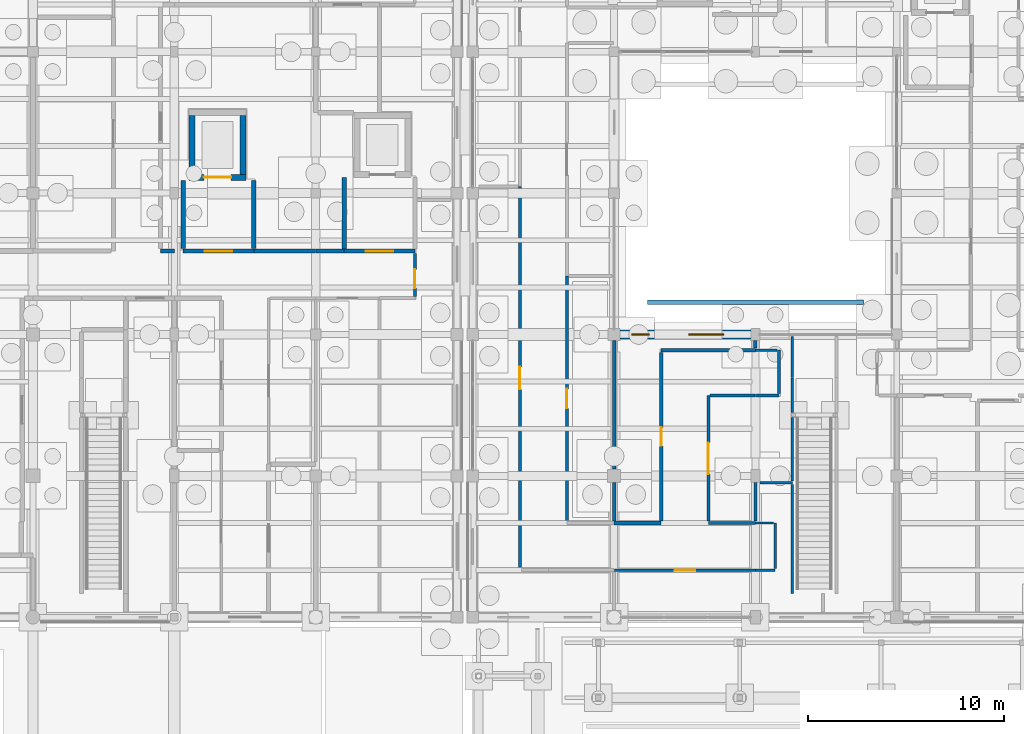
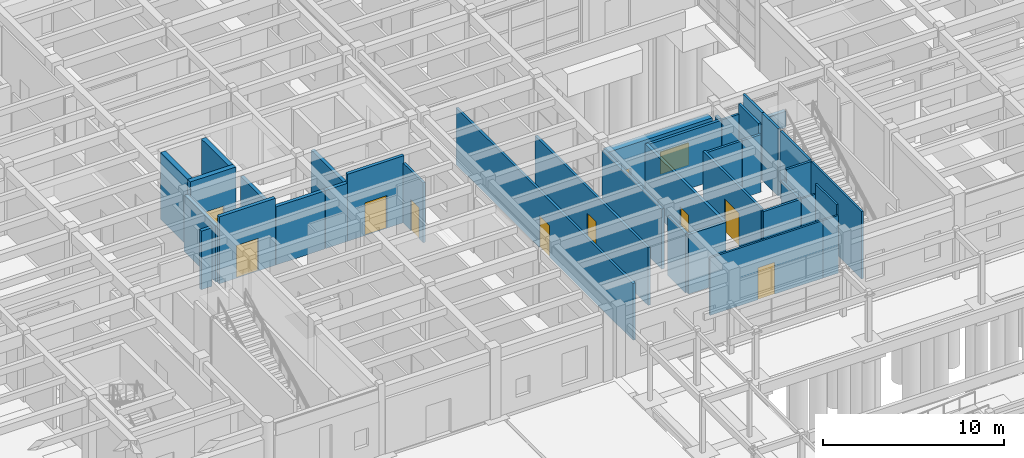
# One storey, part 107 of 143: 38 walls, 9 doors, 2 windows, 11 openings.
"""IFC4 building model written with IfcOpenShell, lengths in metres."""

from ifc_helpers import new_model, si_unit, direction, frame, frame_2d, origin, place, context, subcontext, project, spatial, rectangle, extrude, material, layer, layer_set, type_object, element, fill, save


model = new_model("IFC4")

# Units and contexts
model_context = context("Model", 3, precision=1e-05, world=origin(), true_north=direction((0.0, 1.0)))
body_context = subcontext(model_context, "Body", "Model", "MODEL_VIEW")
ifc_project = project(units=[si_unit("LENGTHUNIT", "METRE"), si_unit("AREAUNIT", "SQUARE_METRE"), si_unit("VOLUMEUNIT", "CUBIC_METRE"), si_unit("PLANEANGLEUNIT", "RADIAN"), si_unit("MASSUNIT", "GRAM", prefix="KILO")], contexts=[model_context])

# Site, building, storey
site_placement = place(None, origin())
site = spatial("IfcSite", under=ifc_project, at=site_placement, CompositionType="ELEMENT")
building_placement = place(site_placement, origin())
building = spatial("IfcBuilding", under=site, at=building_placement, Name="Steenspoor Specialist Clinic", CompositionType="ELEMENT")
storey_placement = place(building_placement, origin())
storey = spatial("IfcBuildingStorey", under=building, at=storey_placement, Name="L00", CompositionType="ELEMENT", Elevation=0.0)

# Wall, openings, windows
ifc_material_1 = material(Name="Volcanic basalt ashlar masonry", Category="masonry")
ifc_layer_1 = layer(ifc_material_1, 0.47998046875)
ifc_layer_set_1 = layer_set([ifc_layer_1], Name="Volcanic basalt ashlar masonry")
wall_type_1 = type_object("IfcWallType", Name="W-BASALT-480", PredefinedType="SOLIDWALL", material=ifc_layer_set_1)
wall_1_placement = place(storey_placement, frame((59.89990234375, 79.550048828125, 0.0), z_axis=(0.0, 0.0, 1.0), x_axis=(1.0, 0.0, 0.0)))
wall_1 = element("IfcWall", 1, at=wall_1_placement, inside=storey, type_object=wall_type_1, Name="Exterior Brick Wall EW-V4-L00-0101", PredefinedType="SOLIDWALL", context=body_context, shape_type="SweptSolid", body=[
    extrude(rectangle(XDim=6.675048828125, YDim=0.47998046875, at=frame_2d((3.33740234375, 0.0))), origin(), (0.0, 0.0, 1.0), 3.72998046875),
])
opening_1_placement = place(wall_1_placement, frame((0.590087890625, 0.0, 0.949951171875)))
opening_1 = element("IfcOpeningElement", 2, at=opening_1_placement, cuts=wall_1, Name="Opening WN-21", PredefinedType="OPENING", context=body_context, shape_type="SweptSolid", body=[
    extrude(rectangle(XDim=0.89990234375, YDim=1.199951171875, at=frame_2d((0.449951171875, 0.60009765625))), frame((0.0, 0.25, 0.0), z_axis=(0.0, -1.0, 0.0), x_axis=(1.0, 0.0, 0.0)), (0.0, 0.0, 1.0), 0.5),
])
opening_2_placement = place(wall_1_placement, frame((3.49755859375, 0.0, 0.89990234375)))
opening_2 = element("IfcOpeningElement", 3, at=opening_2_placement, cuts=wall_1, Name="Opening WN-13", PredefinedType="OPENING", context=body_context, shape_type="SweptSolid", body=[
    extrude(rectangle(XDim=1.800048828125, YDim=1.5, at=frame_2d((0.89990234375, 0.75))), frame((0.0, 0.25, 0.0), z_axis=(0.0, -1.0, 0.0), x_axis=(1.0, 0.0, 0.0)), (0.0, 0.0, 1.0), 0.5),
])
ifc_material_2 = material(Name="Thermally broken aluminium and low-emissivity glass", Category="aluminium")
window_type_1 = type_object("IfcWindowType", Name="WN-EXT-090X120", PartitioningType="SINGLE_PANEL", PredefinedType="WINDOW", material=ifc_material_2)
window_1_placement = place(opening_1_placement, origin())
window_1 = element("IfcWindow", 4, at=window_1_placement, inside=storey, type_object=window_type_1, Name="Window 0122", OverallHeight=1.199951171875, OverallWidth=0.89990234375, PartitioningType="SINGLE_PANEL", PredefinedType="WINDOW", context=body_context, shape_type="SweptSolid", body=[
    extrude(rectangle(XDim=0.89990234375, YDim=1.199951171875, at=frame_2d((0.449951171875, 0.60009765625))), frame((0.0, 0.030029296875, 0.0), z_axis=(0.0, -1.0, 0.0), x_axis=(1.0, 0.0, 0.0)), (0.0, 0.0, 1.0), 0.06005859375),
])
fill(opening_1, window_1)
window_type_2 = type_object("IfcWindowType", Name="WN-EXT-180X150", PartitioningType="SINGLE_PANEL", PredefinedType="WINDOW", material=ifc_material_2)
window_2_placement = place(opening_2_placement, origin())
window_2 = element("IfcWindow", 5, at=window_2_placement, inside=storey, type_object=window_type_2, Name="Window 0123", OverallHeight=1.5, OverallWidth=1.800048828125, PartitioningType="SINGLE_PANEL", PredefinedType="WINDOW", context=body_context, shape_type="SweptSolid", body=[
    extrude(rectangle(XDim=1.800048828125, YDim=1.5, at=frame_2d((0.89990234375, 0.75))), frame((0.0, 0.030029296875, 0.0), z_axis=(0.0, -1.0, 0.0), x_axis=(1.0, 0.0, 0.0)), (0.0, 0.0, 1.0), 0.06005859375),
])
fill(opening_2, window_2)

# Wall, opening, door
ifc_material_3 = material(Name="Gypsum acoustic clinical partition", Category="gypsum")
ifc_layer_2 = layer(ifc_material_3, 0.14990234375)
ifc_layer_set_2 = layer_set([ifc_layer_2], Name="Gypsum acoustic clinical partition")
wall_type_2 = type_object("IfcWallType", Name="W-CLIN-150", PredefinedType="PARTITIONING", material=ifc_layer_set_2)
wall_2_placement = place(storey_placement, frame((54.800048828125, 67.550048828125, 0.0), z_axis=(0.0, 0.0, 1.0), x_axis=(0.0, 1.0, 0.0)))
wall_2 = element("IfcWall", 6, at=wall_2_placement, inside=storey, type_object=wall_type_2, Name="Interior Partition IW-V4-L00-0211", PredefinedType="PARTITIONING", context=body_context, shape_type="SweptSolid", body=[
    extrude(rectangle(XDim=19.550048828125, YDim=0.14990234375, at=frame_2d((9.77490234375, 0.0))), origin(), (0.0, 0.0, 1.0), 3.8349609375),
])
opening_3_placement = place(wall_2_placement, frame((9.199951171875, 0.0, 0.0)))
opening_3 = element("IfcOpeningElement", 7, at=opening_3_placement, cuts=wall_2, Name="Opening D0147", PredefinedType="OPENING", context=body_context, shape_type="SweptSolid", body=[
    extrude(rectangle(XDim=1.14990234375, YDim=2.14990234375, at=frame_2d((0.574951171875, 1.074951171875))), frame((0.0, 0.0849609375, 0.0), z_axis=(0.0, -1.0, 0.0), x_axis=(1.0, 0.0, 0.0)), (0.0, 0.0, 1.0), 0.169921875),
])
ifc_material_4 = material(Name="Solid-core hardwood clinical door", Category="wood")
door_type_1 = type_object("IfcDoorType", Name="DT-CONS-115X215", OperationType="NOTDEFINED", PredefinedType="DOOR", material=ifc_material_4)
door_1_placement = place(opening_3_placement, origin())
door_1 = element("IfcDoor", 8, at=door_1_placement, inside=storey, type_object=door_type_1, Name="Clinical Door D0147", OperationType="SINGLE_SWING_RIGHT", OverallHeight=2.14990234375, OverallWidth=1.14990234375, PredefinedType="DOOR", context=body_context, shape_type="SweptSolid", body=[
    extrude(rectangle(XDim=1.14990234375, YDim=2.14990234375, at=frame_2d((0.574951171875, 1.074951171875))), frame((0.0, 0.02490234375, 0.0), z_axis=(0.0, -1.0, 0.0), x_axis=(1.0, 0.0, 0.0)), (0.0, 0.0, 1.0), 0.050048828125),
])
fill(opening_3, door_1)

wall_3_placement = place(storey_placement, frame((57.199951171875, 70.0400390625, 0.0), z_axis=(0.0, 0.0, 1.0), x_axis=(0.0, 1.0, 0.0)))
wall_3 = element("IfcWall", 9, at=wall_3_placement, inside=storey, type_object=wall_type_2, Name="Interior Partition IW-V4-L00-0232", PredefinedType="PARTITIONING", context=body_context, shape_type="SweptSolid", body=[
    extrude(rectangle(XDim=12.48486328125, YDim=0.14990234375, at=frame_2d((6.242431640625, 0.0))), origin(), (0.0, 0.0, 1.0), 3.885009765625),
])
opening_4_placement = place(wall_3_placement, frame((5.742431640625, 0.0, 0.0)))
opening_4 = element("IfcOpeningElement", 10, at=opening_4_placement, cuts=wall_3, Name="Opening D0161", PredefinedType="OPENING", context=body_context, shape_type="SweptSolid", body=[
    extrude(rectangle(XDim=1.0, YDim=2.14990234375, at=frame_2d((0.5, 1.074951171875))), frame((0.0, 0.0849609375, 0.0), z_axis=(0.0, -1.0, 0.0), x_axis=(1.0, 0.0, 0.0)), (0.0, 0.0, 1.0), 0.169921875),
])
ifc_material_5 = material(Name="Moisture-resistant HPL accessible WC door", Category="wood")
door_type_2 = type_object("IfcDoorType", Name="DT-AWC-100X215", OperationType="NOTDEFINED", PredefinedType="DOOR", material=ifc_material_5)
door_2_placement = place(opening_4_placement, origin())
door_2 = element("IfcDoor", 11, at=door_2_placement, inside=storey, type_object=door_type_2, Name="Clinical Door D0161", OperationType="SINGLE_SWING_RIGHT", OverallHeight=2.14990234375, OverallWidth=1.0, PredefinedType="DOOR", context=body_context, shape_type="SweptSolid", body=[
    extrude(rectangle(XDim=1.0, YDim=2.14990234375, at=frame_2d((0.5, 1.074951171875))), frame((0.0, 0.02490234375, 0.0), z_axis=(0.0, -1.0, 0.0), x_axis=(1.0, 0.0, 0.0)), (0.0, 0.0, 1.0), 0.050048828125),
])
fill(opening_4, door_2)

# Walls
wall_4_placement = place(storey_placement, frame((66.800048828125, 76.449951171875, 0.0), z_axis=(0.0, 0.0, 1.0), x_axis=(1.0, 0.0, 0.0)))
element("IfcWall", 12, at=wall_4_placement, inside=storey, type_object=wall_type_2, Name="Interior Partition IW-V4-L00-0233", PredefinedType="PARTITIONING", context=body_context, shape_type="SweptSolid", body=[
    extrude(rectangle(XDim=1.199951171875, YDim=0.14990234375, at=frame_2d((0.60009765625, 0.0))), origin(), (0.0, 0.0, 1.0), 3.885009765625),
])
wall_5_placement = place(storey_placement, frame((68.0, 76.5400390625, 0.0), z_axis=(0.0, 0.0, 1.0), x_axis=(0.0, 1.0, 0.0)))
element("IfcWall", 13, at=wall_5_placement, inside=storey, type_object=wall_type_2, Name="Interior Partition IW-V4-L00-0234", PredefinedType="PARTITIONING", context=body_context, shape_type="SweptSolid", body=[
    extrude(rectangle(XDim=2.2099609375, YDim=0.14990234375, at=frame_2d((1.10498046875, 0.0))), origin(), (0.0, 0.0, 1.0), 4.550048828125),
])
wall_6_placement = place(storey_placement, frame((66.81494140625, 78.75, 0.0), z_axis=(0.0, 0.0, 1.0), x_axis=(1.0, 0.0, 0.0)))
element("IfcWall", 14, at=wall_6_placement, inside=storey, type_object=wall_type_2, Name="Interior Partition IW-V4-L00-0235", PredefinedType="PARTITIONING", context=body_context, shape_type="SweptSolid", body=[
    extrude(rectangle(XDim=1.094970703125, YDim=0.14990234375, at=frame_2d((0.54736328125, 0.0))), origin(), (0.0, 0.0, 1.0), 3.885009765625),
])
wall_7_placement = place(storey_placement, frame((64.39990234375, 69.949951171875, 0.0), z_axis=(0.0, 0.0, 1.0), x_axis=(1.0, 0.0, 0.0)))
element("IfcWall", 15, at=wall_7_placement, inside=storey, type_object=wall_type_2, Name="Interior Partition IW-V4-L00-0236", PredefinedType="PARTITIONING", context=body_context, shape_type="SweptSolid", body=[
    extrude(rectangle(XDim=2.400146484375, YDim=0.14990234375, at=frame_2d((1.2001953125, 0.0))), origin(), (0.0, 0.0, 1.0), 3.885009765625),
])

# Wall, opening, door
wall_8_placement = place(storey_placement, frame((64.39990234375, 70.0400390625, 0.0), z_axis=(0.0, 0.0, 1.0), x_axis=(0.0, 1.0, 0.0)))
wall_8 = element("IfcWall", 16, at=wall_8_placement, inside=storey, type_object=wall_type_2, Name="Interior Partition IW-V4-L00-0237", PredefinedType="PARTITIONING", context=body_context, shape_type="SweptSolid", body=[
    extrude(rectangle(XDim=6.409912109375, YDim=0.14990234375, at=frame_2d((3.205078125, 0.0))), origin(), (0.0, 0.0, 1.0), 4.014892578125),
])
opening_5_placement = place(wall_8_placement, frame((2.405029296875, 0.0, 0.0)))
opening_5 = element("IfcOpeningElement", 17, at=opening_5_placement, cuts=wall_8, Name="Opening D0163", PredefinedType="OPENING", context=body_context, shape_type="SweptSolid", body=[
    extrude(rectangle(XDim=1.60009765625, YDim=2.25, at=frame_2d((0.800048828125, 1.125))), frame((0.0, 0.0849609375, 0.0), z_axis=(0.0, -1.0, 0.0), x_axis=(1.0, 0.0, 0.0)), (0.0, 0.0, 1.0), 0.169921875),
])
ifc_material_6 = material(Name="Hygienic HPL clinical timber door", Category="wood")
door_type_3 = type_object("IfcDoorType", Name="DT-PROC-160X225", OperationType="NOTDEFINED", PredefinedType="DOOR", material=ifc_material_6)
door_3_placement = place(opening_5_placement, origin())
door_3 = element("IfcDoor", 18, at=door_3_placement, inside=storey, type_object=door_type_3, Name="Clinical Door D0163", OperationType="SINGLE_SWING_RIGHT", OverallHeight=2.25, OverallWidth=1.60009765625, PredefinedType="DOOR", context=body_context, shape_type="SweptSolid", body=[
    extrude(rectangle(XDim=1.60009765625, YDim=2.25, at=frame_2d((0.800048828125, 1.125))), frame((0.0, 0.02490234375, 0.0), z_axis=(0.0, -1.0, 0.0), x_axis=(1.0, 0.0, 0.0)), (0.0, 0.0, 1.0), 0.050048828125),
])
fill(opening_5, door_3)

# Wall
wall_9_placement = place(storey_placement, frame((64.489990234375, 76.449951171875, 0.0), z_axis=(0.0, 0.0, 1.0), x_axis=(1.0, 0.0, 0.0)))
element("IfcWall", 19, at=wall_9_placement, inside=storey, type_object=wall_type_2, Name="Interior Partition IW-V4-L00-0238", PredefinedType="PARTITIONING", context=body_context, shape_type="SweptSolid", body=[
    extrude(rectangle(XDim=2.294921875, YDim=0.14990234375, at=frame_2d((1.1474609375, 0.0))), origin(), (0.0, 0.0, 1.0), 3.885009765625),
])

# Wall, opening, door
wall_10_placement = place(storey_placement, frame((49.449951171875, 81.489990234375, 0.0), z_axis=(0.0, 0.0, 1.0), x_axis=(0.0, 1.0, 0.0)))
wall_10 = element("IfcWall", 20, at=wall_10_placement, inside=storey, type_object=wall_type_2, Name="Interior Partition IW-V5-L00-0275", PredefinedType="PARTITIONING", context=body_context, shape_type="SweptSolid", body=[
    extrude(rectangle(XDim=2.195068359375, YDim=0.14990234375, at=frame_2d((1.09765625, 0.0))), origin(), (0.0, 0.0, 1.0), 4.044921875),
])
opening_6_placement = place(wall_10_placement, frame((0.42333984375, 0.0, 0.0)))
opening_6 = element("IfcOpeningElement", 21, at=opening_6_placement, cuts=wall_10, Name="Opening D0330", PredefinedType="OPENING", context=body_context, shape_type="SweptSolid", body=[
    extrude(rectangle(XDim=0.949951171875, YDim=2.10009765625, at=frame_2d((0.47509765625, 1.050048828125))), frame((0.0, 0.0849609375, 0.0), z_axis=(0.0, -1.0, 0.0), x_axis=(1.0, 0.0, 0.0)), (0.0, 0.0, 1.0), 0.169921875),
])
ifc_material_7 = material(Name="Moisture-resistant HPL sanitary door", Category="wood")
door_type_4 = type_object("IfcDoorType", Name="DT-WC-095X210", OperationType="NOTDEFINED", PredefinedType="DOOR", material=ifc_material_7)
door_4_placement = place(opening_6_placement, origin())
door_4 = element("IfcDoor", 22, at=door_4_placement, inside=storey, type_object=door_type_4, Name="Clinical Door D0330", OperationType="SINGLE_SWING_LEFT", OverallHeight=2.10009765625, OverallWidth=0.949951171875, PredefinedType="DOOR", context=body_context, shape_type="SweptSolid", body=[
    extrude(rectangle(XDim=0.949951171875, YDim=2.10009765625, at=frame_2d((0.47509765625, 1.050048828125))), frame((0.0, 0.02490234375, 0.0), z_axis=(0.0, -1.0, 0.0), x_axis=(1.0, 0.0, 0.0)), (0.0, 0.0, 1.0), 0.050048828125),
])
fill(opening_6, door_4)

# Walls
wall_11_placement = place(storey_placement, frame((66.800048828125, 70.0400390625, 0.0), z_axis=(0.0, 0.0, 1.0), x_axis=(0.0, 1.0, 0.0)))
element("IfcWall", 23, at=wall_11_placement, inside=storey, type_object=wall_type_2, Name="Interior Partition IW-V4-L00-0600", PredefinedType="PARTITIONING", context=body_context, shape_type="SweptSolid", body=[
    extrude(rectangle(XDim=1.9599609375, YDim=0.14990234375, at=frame_2d((0.97998046875, 0.0))), origin(), (0.0, 0.0, 1.0), 3.885009765625),
])
wall_12_placement = place(storey_placement, frame((67.0400390625, 72.0, 0.0), z_axis=(0.0, 0.0, 1.0), x_axis=(1.0, 0.0, 0.0)))
element("IfcWall", 24, at=wall_12_placement, inside=storey, type_object=wall_type_2, Name="Interior Partition IW-V4-L00-0601", PredefinedType="PARTITIONING", context=body_context, shape_type="SweptSolid", body=[
    extrude(rectangle(XDim=1.635009765625, YDim=0.14990234375, at=frame_2d((0.8173828125, 0.0))), origin(), (0.0, 0.0, 1.0), 4.550048828125),
])
wall_13_placement = place(storey_placement, frame((68.675048828125, 77.35009765625, 0.0), z_axis=(0.0, 0.0, 1.0), x_axis=(0.0, 1.0, 0.0)))
element("IfcWall", 25, at=wall_13_placement, inside=storey, type_object=wall_type_2, Name="Interior Partition IW-V4-L00-0618", PredefinedType="PARTITIONING", context=body_context, shape_type="SweptSolid", body=[
    extrude(rectangle(XDim=2.094970703125, YDim=0.14990234375, at=frame_2d((1.04736328125, 0.0))), origin(), (0.0, 0.0, 1.0), 4.550048828125),
])
wall_14_placement = place(storey_placement, frame((68.675048828125, 72.090087890625, 0.0), z_axis=(0.0, 0.0, 1.0), x_axis=(0.0, 1.0, 0.0)))
element("IfcWall", 26, at=wall_14_placement, inside=storey, type_object=wall_type_2, Name="Interior Partition IW-V4-L00-0619", PredefinedType="PARTITIONING", context=body_context, shape_type="SweptSolid", body=[
    extrude(rectangle(XDim=3.242919921875, YDim=0.14990234375, at=frame_2d((1.62158203125, 0.0))), origin(), (0.0, 0.0, 1.0), 4.550048828125),
])
wall_15_placement = place(storey_placement, frame((68.675048828125, 75.56689453125, 0.0), z_axis=(0.0, 0.0, 1.0), x_axis=(0.0, 1.0, 0.0)))
element("IfcWall", 27, at=wall_15_placement, inside=storey, type_object=wall_type_2, Name="Interior Partition IW-V4-L00-0620", PredefinedType="PARTITIONING", context=body_context, shape_type="SweptSolid", body=[
    extrude(rectangle(XDim=1.76806640625, YDim=0.14990234375, at=frame_2d((0.884033203125, 0.0))), origin(), (0.0, 0.0, 1.0), 4.550048828125),
])

# Wall, opening, door
ifc_material_8 = material(Name="Fire-rated clay blockwork masonry", Category="masonry")
ifc_layer_3 = layer(ifc_material_8, 0.219970703125)
ifc_layer_set_3 = layer_set([ifc_layer_3], Name="Fire-rated clay blockwork masonry")
wall_type_3 = type_object("IfcWallType", Name="W-FIRE-220", PredefinedType="PARTITIONING", material=ifc_layer_set_3)
wall_16_placement = place(storey_placement, frame((37.64990234375, 83.800048828125, 0.0), z_axis=(0.0, 0.0, 1.0), x_axis=(1.0, 0.0, 0.0)))
wall_16 = element("IfcWall", 28, at=wall_16_placement, inside=storey, type_object=wall_type_3, Name="Interior Partition IW-V5-L00-0002", PredefinedType="PARTITIONING", context=body_context, shape_type="SweptSolid", body=[
    extrude(rectangle(XDim=3.60009765625, YDim=0.219970703125, at=frame_2d((1.800048828125, 0.0))), origin(), (0.0, 0.0, 1.0), 4.52001953125),
])
opening_7_placement = place(wall_16_placement, frame((1.10009765625, 0.0, 0.0)))
opening_7 = element("IfcOpeningElement", 29, at=opening_7_placement, cuts=wall_16, Name="Opening D0321", PredefinedType="OPENING", context=body_context, shape_type="SweptSolid", body=[
    extrude(rectangle(XDim=1.39990234375, YDim=2.199951171875, at=frame_2d((0.699951171875, 1.10009765625))), frame((0.0, 0.1201171875, 0.0), z_axis=(0.0, -1.0, 0.0), x_axis=(1.0, 0.0, 0.0)), (0.0, 0.0, 1.0), 0.239990234375),
])
ifc_material_9 = material(Name="Fire-rated clinical laminate door", Category="steel")
door_type_5 = type_object("IfcDoorType", Name="DT-LAB-140X220", OperationType="NOTDEFINED", PredefinedType="DOOR", material=ifc_material_9)
door_5_placement = place(opening_7_placement, origin())
door_5 = element("IfcDoor", 30, at=door_5_placement, inside=storey, type_object=door_type_5, Name="Lift Lobby Fire Door D0321", OperationType="SINGLE_SWING_RIGHT", OverallHeight=2.199951171875, OverallWidth=1.39990234375, PredefinedType="DOOR", context=body_context, shape_type="SweptSolid", body=[
    extrude(rectangle(XDim=1.39990234375, YDim=2.199951171875, at=frame_2d((0.699951171875, 1.10009765625))), frame((0.0, 0.02490234375, 0.0), z_axis=(0.0, -1.0, 0.0), x_axis=(1.0, 0.0, 0.0)), (0.0, 0.0, 1.0), 0.050048828125),
])
fill(opening_7, door_5)

# Walls
for number, where, z_axis, x_axis, name in (
    (31, (41.25, 83.925048828125, 0.0), (0.0, 0.0, 1.0), (0.0, 1.0, 0.0), "Interior Partition IW-V5-L00-0017"),
    (32, (37.64990234375, 83.925048828125, 0.0), (0.0, 0.0, 1.0), (0.0, 1.0, 0.0), "Interior Partition IW-V5-L00-0018"),
):
    element("IfcWall", number, at=place(storey_placement, frame(where, z_axis=z_axis, x_axis=x_axis)), inside=storey, type_object=wall_type_3, Name=name, PredefinedType="PARTITIONING", context=body_context, shape_type="SweptSolid", body=[
        extrude(rectangle(XDim=3.474853515625, YDim=0.219970703125, at=frame_2d((1.7373046875, 0.0))), origin(), (0.0, 0.0, 1.0), 3.784912109375),
    ])
wall_17_placement = place(storey_placement, frame((45.85009765625, 83.9150390625, 0.0), z_axis=(0.0, 0.0, 1.0), x_axis=(0.0, 1.0, 0.0)))
element("IfcWall", 33, at=wall_17_placement, inside=storey, type_object=wall_type_3, Name="Interior Partition IW-V5-L00-0021", PredefinedType="PARTITIONING", context=body_context, shape_type="SweptSolid", body=[
    extrude(rectangle(XDim=3.635009765625, YDim=0.219970703125, at=frame_2d((1.8173828125, 0.0))), origin(), (0.0, 0.0, 1.0), 3.85498046875),
])
wall_18_placement = place(storey_placement, frame((41.264892578125, 83.800048828125, 0.0), z_axis=(0.0, 0.0, 1.0), x_axis=(1.0, 0.0, 0.0)))
element("IfcWall", 34, at=wall_18_placement, inside=storey, type_object=wall_type_3, Name="Interior Partition IW-V5-L00-0084", PredefinedType="PARTITIONING", context=body_context, shape_type="SweptSolid", body=[
    extrude(rectangle(XDim=3.135009765625, YDim=0.219970703125, at=frame_2d((1.5673828125, 0.0))), origin(), (0.0, 0.0, 1.0), 3.925048828125),
])
wall_19_placement = place(storey_placement, frame((36.5, 83.800048828125, 0.0), z_axis=(0.0, 0.0, 1.0), x_axis=(1.0, 0.0, 0.0)))
element("IfcWall", 35, at=wall_19_placement, inside=storey, type_object=wall_type_3, Name="Interior Partition IW-V5-L00-0085", PredefinedType="PARTITIONING", context=body_context, shape_type="SweptSolid", body=[
    extrude(rectangle(XDim=0.699951171875, YDim=0.219970703125, at=frame_2d((0.35009765625, 0.0))), origin(), (0.0, 0.0, 1.0), 3.955078125),
])
wall_20_placement = place(storey_placement, frame((44.4150390625, 83.800048828125, 0.0), z_axis=(0.0, 0.0, 1.0), x_axis=(1.0, 0.0, 0.0)))
element("IfcWall", 36, at=wall_20_placement, inside=storey, type_object=wall_type_3, Name="Interior Partition IW-V5-L00-0089", PredefinedType="PARTITIONING", context=body_context, shape_type="SweptSolid", body=[
    extrude(rectangle(XDim=1.419921875, YDim=0.219970703125, at=frame_2d((0.7099609375, 0.0))), origin(), (0.0, 0.0, 1.0), 3.925048828125),
])
ifc_material_10 = material(Name="Extruded clay brick masonry", Category="masonry")
ifc_layer_4 = layer(ifc_material_10, 0.239990234375)
ifc_layer_set_4 = layer_set([ifc_layer_4], Name="Extruded clay brick masonry")
wall_type_4 = type_object("IfcWallType", Name="W-PARAPET-240", PredefinedType="PARAPET", material=ifc_layer_set_4)
wall_21_placement = place(storey_placement, frame((61.300048828125, 81.199951171875, 0.0), z_axis=(0.0, 0.0, 1.0), x_axis=(1.0, 0.0, 0.0)))
element("IfcWall", 37, at=wall_21_placement, inside=storey, type_object=wall_type_4, Name="Courtyard Planter Parapet PW-GARDEN-01", PredefinedType="PARAPET", context=body_context, shape_type="SweptSolid", body=[
    extrude(rectangle(XDim=11.0, YDim=0.239990234375, at=frame_2d((5.5, 0.0))), origin(), (0.0, 0.0, 1.0), 1.10009765625),
])

# Wall, opening, door
ifc_material_11 = material(Name="Gypsum studio partition board", Category="gypsum")
ifc_layer_5 = layer(ifc_material_11, 0.1201171875)
ifc_layer_set_5 = layer_set([ifc_layer_5], Name="Gypsum studio partition board")
wall_type_5 = type_object("IfcWallType", Name="W-PART-120", PredefinedType="PARTITIONING", material=ifc_layer_set_5)
wall_22_placement = place(storey_placement, frame((59.614990234375, 67.550048828125, 0.0), z_axis=(0.0, 0.0, 1.0), x_axis=(1.0, 0.0, 0.0)))
wall_22 = element("IfcWall", 38, at=wall_22_placement, inside=storey, type_object=wall_type_5, Name="Interior Partition IW-V4-L00-0326", PredefinedType="PARTITIONING", context=body_context, shape_type="SweptSolid", body=[
    extrude(rectangle(XDim=7.18505859375, YDim=0.1201171875, at=frame_2d((3.592529296875, 0.0))), origin(), (0.0, 0.0, 1.0), 3.885009765625),
])
opening_8_placement = place(wall_22_placement, frame((3.0673828125, 0.0, 0.0)))
opening_8 = element("IfcOpeningElement", 39, at=opening_8_placement, cuts=wall_22, Name="Opening D0148", PredefinedType="OPENING", context=body_context, shape_type="SweptSolid", body=[
    extrude(rectangle(XDim=1.050048828125, YDim=2.14990234375, at=frame_2d((0.52490234375, 1.074951171875))), frame((0.0, 0.070068359375, 0.0), z_axis=(0.0, -1.0, 0.0), x_axis=(1.0, 0.0, 0.0)), (0.0, 0.0, 1.0), 0.14013671875),
])
ifc_material_12 = material(Name="Solid-core hardwood office door", Category="wood")
door_type_6 = type_object("IfcDoorType", Name="DT-OFF-105X215", OperationType="NOTDEFINED", PredefinedType="DOOR", material=ifc_material_12)
door_6_placement = place(opening_8_placement, origin())
door_6 = element("IfcDoor", 40, at=door_6_placement, inside=storey, type_object=door_type_6, Name="Clinical Door D0148", OperationType="SINGLE_SWING_LEFT", OverallHeight=2.14990234375, OverallWidth=1.050048828125, PredefinedType="DOOR", context=body_context, shape_type="SweptSolid", body=[
    extrude(rectangle(XDim=1.050048828125, YDim=2.14990234375, at=frame_2d((0.52490234375, 1.074951171875))), frame((0.0, 0.02490234375, 0.0), z_axis=(0.0, -1.0, 0.0), x_axis=(1.0, 0.0, 0.0)), (0.0, 0.0, 1.0), 0.050048828125),
])
fill(opening_8, door_6)

# Walls
wall_23_placement = place(storey_placement, frame((66.81494140625, 67.550048828125, 0.0), z_axis=(0.0, 0.0, 1.0), x_axis=(1.0, 0.0, 0.0)))
element("IfcWall", 41, at=wall_23_placement, inside=storey, type_object=wall_type_5, Name="Interior Partition IW-V4-L00-0327", PredefinedType="PARTITIONING", context=body_context, shape_type="SweptSolid", body=[
    extrude(rectangle(XDim=0.985107421875, YDim=0.1201171875, at=frame_2d((0.49267578125, 0.0))), origin(), (0.0, 0.0, 1.0), 3.885009765625),
])
wall_24_placement = place(storey_placement, frame((67.800048828125, 67.625, 0.0), z_axis=(0.0, 0.0, 1.0), x_axis=(0.0, 1.0, 0.0)))
element("IfcWall", 42, at=wall_24_placement, inside=storey, type_object=wall_type_5, Name="Interior Partition IW-V4-L00-0328", PredefinedType="PARTITIONING", context=body_context, shape_type="SweptSolid", body=[
    extrude(rectangle(XDim=2.324951171875, YDim=0.1201171875, at=frame_2d((1.16259765625, 0.0))), origin(), (0.0, 0.0, 1.0), 4.550048828125),
])
wall_25_placement = place(storey_placement, frame((66.81494140625, 69.949951171875, 0.0), z_axis=(0.0, 0.0, 1.0), x_axis=(1.0, 0.0, 0.0)))
element("IfcWall", 43, at=wall_25_placement, inside=storey, type_object=wall_type_5, Name="Interior Partition IW-V4-L00-0329", PredefinedType="PARTITIONING", context=body_context, shape_type="SweptSolid", body=[
    extrude(rectangle(XDim=0.91015625, YDim=0.1201171875, at=frame_2d((0.455078125, 0.0))), origin(), (0.0, 0.0, 1.0), 3.885009765625),
])
wall_26_placement = place(storey_placement, frame((68.675048828125, 66.35009765625, 0.0), z_axis=(0.0, 0.0, 1.0), x_axis=(0.0, 1.0, 0.0)))
element("IfcWall", 44, at=wall_26_placement, inside=storey, type_object=wall_type_5, Name="Interior Partition IW-V4-L00-0656", PredefinedType="PARTITIONING", context=body_context, shape_type="SweptSolid", body=[
    extrude(rectangle(XDim=5.559814453125, YDim=0.1201171875, at=frame_2d((2.77978515625, 0.0))), origin(), (0.0, 0.0, 1.0), 4.550048828125),
])
ifc_material_13 = material(Name="Moisture-resistant gypsum plumbing wall", Category="gypsum")
ifc_layer_6 = layer(ifc_material_13, 0.179931640625)
ifc_layer_set_6 = layer_set([ifc_layer_6], Name="Moisture-resistant gypsum plumbing wall")
wall_type_6 = type_object("IfcWallType", Name="W-PLUMB-180", PredefinedType="PLUMBINGWALL", material=ifc_layer_set_6)
wall_27_placement = place(storey_placement, frame((59.60009765625, 69.949951171875, 0.0), z_axis=(0.0, 0.0, 1.0), x_axis=(1.0, 0.0, 0.0)))
element("IfcWall", 45, at=wall_27_placement, inside=storey, type_object=wall_type_6, Name="Interior Partition IW-V4-L00-0137", PredefinedType="PLUMBINGWALL", context=body_context, shape_type="SweptSolid", body=[
    extrude(rectangle(XDim=2.39990234375, YDim=0.179931640625, at=frame_2d((1.199951171875, 0.0))), origin(), (0.0, 0.0, 1.0), 4.014892578125),
])
wall_28_placement = place(storey_placement, frame((62.0, 78.75, 0.0), z_axis=(0.0, 0.0, 1.0), x_axis=(1.0, 0.0, 0.0)))
element("IfcWall", 46, at=wall_28_placement, inside=storey, type_object=wall_type_6, Name="Interior Partition IW-V4-L00-0138", PredefinedType="PLUMBINGWALL", context=body_context, shape_type="SweptSolid", body=[
    extrude(rectangle(XDim=4.800048828125, YDim=0.179931640625, at=frame_2d((2.39990234375, 0.0))), origin(), (0.0, 0.0, 1.0), 3.885009765625),
])

# Wall, opening, door
wall_29_placement = place(storey_placement, frame((62.0, 70.054931640625, 0.0), z_axis=(0.0, 0.0, 1.0), x_axis=(0.0, 1.0, 0.0)))
wall_29 = element("IfcWall", 47, at=wall_29_placement, inside=storey, type_object=wall_type_6, Name="Interior Partition IW-V4-L00-0139", PredefinedType="PLUMBINGWALL", context=body_context, shape_type="SweptSolid", body=[
    extrude(rectangle(XDim=8.590087890625, YDim=0.179931640625, at=frame_2d((4.294921875, 0.0))), origin(), (0.0, 0.0, 1.0), 4.014892578125),
])
opening_9_placement = place(wall_29_placement, frame((3.820068359375, 0.0, 0.0)))
opening_9 = element("IfcOpeningElement", 48, at=opening_9_placement, cuts=wall_29, Name="Opening D0162", PredefinedType="OPENING", context=body_context, shape_type="SweptSolid", body=[
    extrude(rectangle(XDim=0.949951171875, YDim=2.10009765625, at=frame_2d((0.47509765625, 1.050048828125))), frame((0.0, 0.10009765625, 0.0), z_axis=(0.0, -1.0, 0.0), x_axis=(1.0, 0.0, 0.0)), (0.0, 0.0, 1.0), 0.199951171875),
])
door_7_placement = place(opening_9_placement, origin())
door_7 = element("IfcDoor", 49, at=door_7_placement, inside=storey, type_object=door_type_4, Name="Clinical Door D0162", OperationType="SINGLE_SWING_LEFT", OverallHeight=2.10009765625, OverallWidth=0.949951171875, PredefinedType="DOOR", context=body_context, shape_type="SweptSolid", body=[
    extrude(rectangle(XDim=0.949951171875, YDim=2.10009765625, at=frame_2d((0.47509765625, 1.050048828125))), frame((0.0, 0.02490234375, 0.0), z_axis=(0.0, -1.0, 0.0), x_axis=(1.0, 0.0, 0.0)), (0.0, 0.0, 1.0), 0.050048828125),
])
fill(opening_9, door_7)

# Walls
wall_30_placement = place(storey_placement, frame((59.60009765625, 70.054931640625, 0.0), z_axis=(0.0, 0.0, 1.0), x_axis=(0.0, 1.0, 0.0)))
element("IfcWall", 50, at=wall_30_placement, inside=storey, type_object=wall_type_6, Name="Interior Partition IW-V4-L00-0517", PredefinedType="PLUMBINGWALL", context=body_context, shape_type="SweptSolid", body=[
    extrude(rectangle(XDim=1.955078125, YDim=0.179931640625, at=frame_2d((0.9775390625, 0.0))), origin(), (0.0, 0.0, 1.0), 4.014892578125),
])
wall_31_placement = place(storey_placement, frame((59.60009765625, 72.68994140625, 0.0), z_axis=(0.0, 0.0, 1.0), x_axis=(0.0, 1.0, 0.0)))
element("IfcWall", 51, at=wall_31_placement, inside=storey, type_object=wall_type_6, Name="Interior Partition IW-V4-L00-0518", PredefinedType="PLUMBINGWALL", context=body_context, shape_type="SweptSolid", body=[
    extrude(rectangle(XDim=6.545166015625, YDim=0.179931640625, at=frame_2d((3.2724609375, 0.0))), origin(), (0.0, 0.0, 1.0), 4.054931640625),
])
wall_32_placement = place(storey_placement, frame((66.800048828125, 78.85498046875, 0.0), z_axis=(0.0, 0.0, 1.0), x_axis=(0.0, 1.0, 0.0)))
element("IfcWall", 52, at=wall_32_placement, inside=storey, type_object=wall_type_6, Name="Interior Partition IW-V4-L00-0519", PredefinedType="PLUMBINGWALL", context=body_context, shape_type="SweptSolid", body=[
    extrude(rectangle(XDim=0.380126953125, YDim=0.179931640625, at=frame_2d((0.18994140625, 0.0))), origin(), (0.0, 0.0, 1.0), 3.885009765625),
])

# Wall, opening, door
ifc_material_14 = material(Name="Gypsum acoustic smoke barrier board", Category="gypsum")
ifc_layer_7 = layer(ifc_material_14, 0.199951171875)
ifc_layer_set_7 = layer_set([ifc_layer_7], Name="Gypsum acoustic smoke barrier board")
wall_type_7 = type_object("IfcWallType", Name="W-SMOKE-200", PredefinedType="PARTITIONING", material=ifc_layer_set_7)
wall_33_placement = place(storey_placement, frame((45.85009765625, 83.800048828125, 0.0), z_axis=(0.0, 0.0, 1.0), x_axis=(1.0, 0.0, 0.0)))
wall_33 = element("IfcWall", 53, at=wall_33_placement, inside=storey, type_object=wall_type_7, Name="Interior Partition IW-V5-L00-0008", PredefinedType="PARTITIONING", context=body_context, shape_type="SweptSolid", body=[
    extrude(rectangle(XDim=3.599853515625, YDim=0.199951171875, at=frame_2d((1.7998046875, 0.0))), origin(), (0.0, 0.0, 1.0), 4.52001953125),
])
opening_10_placement = place(wall_33_placement, frame((1.10009765625, 0.0, 0.0)))
opening_10 = element("IfcOpeningElement", 54, at=opening_10_placement, cuts=wall_33, Name="Opening D0322", PredefinedType="OPENING", context=body_context, shape_type="SweptSolid", body=[
    extrude(rectangle(XDim=1.39990234375, YDim=2.199951171875, at=frame_2d((0.699951171875, 1.10009765625))), frame((0.0, 0.10986328125, 0.0), z_axis=(0.0, -1.0, 0.0), x_axis=(1.0, 0.0, 0.0)), (0.0, 0.0, 1.0), 0.219970703125),
])
door_8_placement = place(opening_10_placement, origin())
door_8 = element("IfcDoor", 55, at=door_8_placement, inside=storey, type_object=door_type_5, Name="Lift Lobby Fire Door D0322", OperationType="SINGLE_SWING_LEFT", OverallHeight=2.199951171875, OverallWidth=1.39990234375, PredefinedType="DOOR", context=body_context, shape_type="SweptSolid", body=[
    extrude(rectangle(XDim=1.39990234375, YDim=2.199951171875, at=frame_2d((0.699951171875, 1.10009765625))), frame((0.0, 0.02490234375, 0.0), z_axis=(0.0, -1.0, 0.0), x_axis=(1.0, 0.0, 0.0)), (0.0, 0.0, 1.0), 0.050048828125),
])
fill(opening_10, door_8)

ifc_material_15 = material(Name="Concrete C40/50", Category="concrete")
ifc_layer_8 = layer(ifc_material_15, 0.300048828125)
ifc_layer_set_8 = layer_set([ifc_layer_8], Name="Concrete C40/50")
wall_type_8 = type_object("IfcWallType", Name="W-SW-300", PredefinedType="SHEAR", material=ifc_layer_set_8)
wall_34_placement = place(storey_placement, frame((37.949951171875, 87.550048828125, 0.0), z_axis=(0.0, 0.0, 1.0), x_axis=(1.0, 0.0, 0.0)))
wall_34 = element("IfcWall", 56, at=wall_34_placement, inside=storey, type_object=wall_type_8, Name="Lift Shaft Shear Wall SW-EL-S2-L00-S", PredefinedType="SHEAR", context=body_context, shape_type="SweptSolid", body=[
    extrude(rectangle(XDim=2.900146484375, YDim=0.300048828125, at=frame_2d((1.4501953125, 0.0))), origin(), (0.0, 0.0, 1.0), 4.52001953125),
])
opening_11_placement = place(wall_34_placement, frame((0.75, 0.0, 0.0)))
opening_11 = element("IfcOpeningElement", 57, at=opening_11_placement, cuts=wall_34, Name="Opening LD07", PredefinedType="OPENING", context=body_context, shape_type="SweptSolid", body=[
    extrude(rectangle(XDim=1.39990234375, YDim=2.14990234375, at=frame_2d((0.699951171875, 1.074951171875))), frame((0.0, 0.16015625, 0.0), z_axis=(0.0, -1.0, 0.0), x_axis=(1.0, 0.0, 0.0)), (0.0, 0.0, 1.0), 0.320068359375),
])
ifc_material_16 = material(Name="Stainless steel lift landing door", Category="steel")
door_type_7 = type_object("IfcDoorType", Name="DT-LIFT-S-140", OperationType="NOTDEFINED", PredefinedType="DOOR", material=ifc_material_16)
door_9_placement = place(opening_11_placement, origin())
door_9 = element("IfcDoor", 58, at=door_9_placement, inside=storey, type_object=door_type_7, Name="Lift Landing Door LD07", OperationType="SLIDING_TO_LEFT", OverallHeight=2.14990234375, OverallWidth=1.39990234375, PredefinedType="DOOR", context=body_context, shape_type="SweptSolid", body=[
    extrude(rectangle(XDim=1.39990234375, YDim=2.14990234375, at=frame_2d((0.699951171875, 1.074951171875))), frame((0.0, 0.02490234375, 0.0), z_axis=(0.0, -1.0, 0.0), x_axis=(1.0, 0.0, 0.0)), (0.0, 0.0, 1.0), 0.050048828125),
])
fill(opening_11, door_9)

# Walls
for number, where, z_axis, x_axis, name in (
    (59, (38.10009765625, 87.699951171875, 0.0), (0.0, 0.0, 1.0), (0.0, 1.0, 0.0), "Lift Shaft Shear Wall SW-EL-S2-L00-W"),
    (60, (40.699951171875, 87.699951171875, 0.0), (0.0, 0.0, 1.0), (0.0, 1.0, 0.0), "Lift Shaft Shear Wall SW-EL-S2-L00-E"),
):
    element("IfcWall", number, at=place(storey_placement, frame(where, z_axis=z_axis, x_axis=x_axis)), inside=storey, type_object=wall_type_8, Name=name, PredefinedType="SHEAR", context=body_context, shape_type="SweptSolid", body=[
        extrude(rectangle(XDim=3.0, YDim=0.300048828125, at=frame_2d((1.5, 0.0))), origin(), (0.0, 0.0, 1.0), 4.52001953125),
    ])

save(model, "model.ifc")
